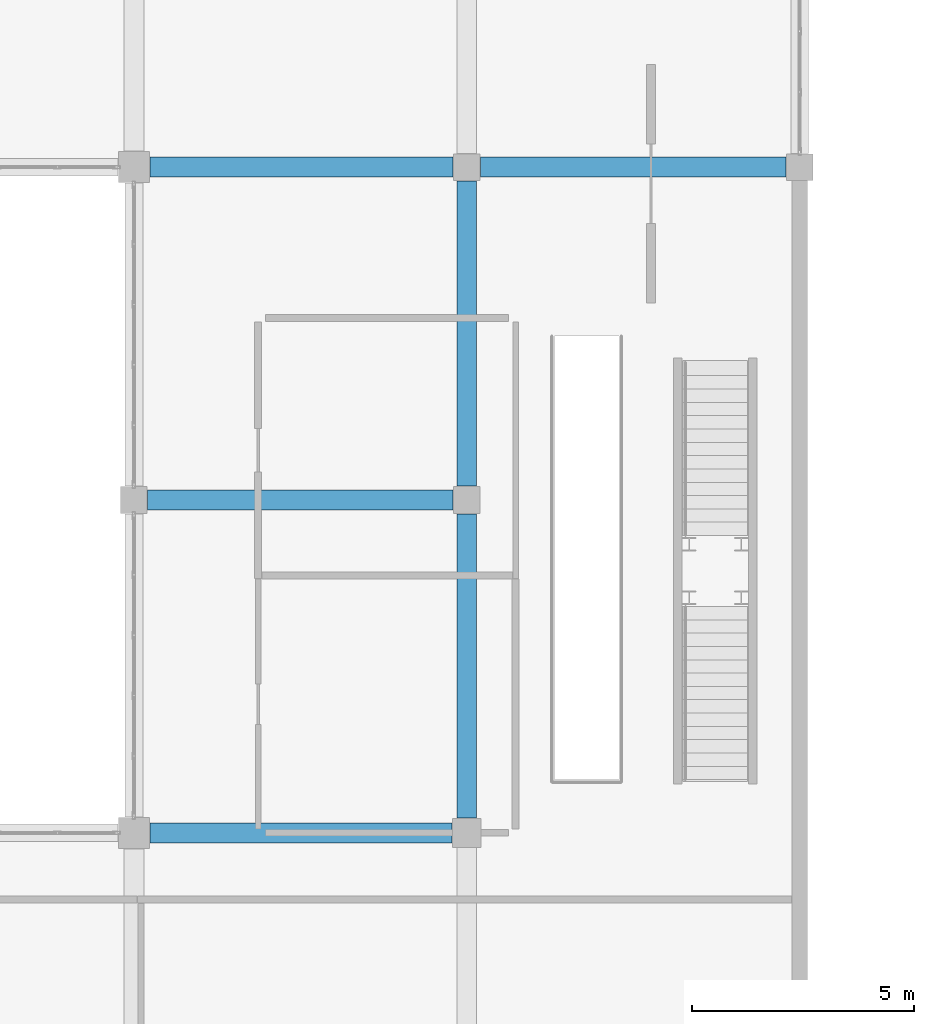
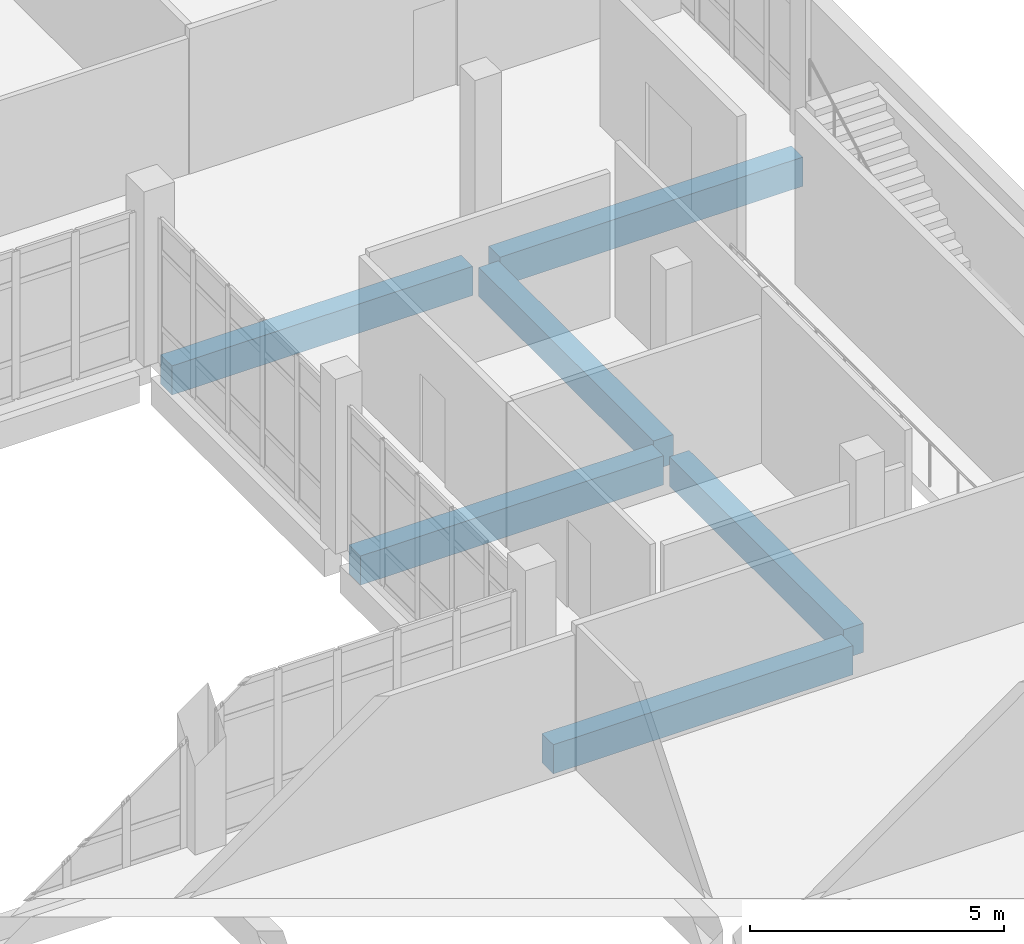
# One storey, part 31 of 164: 6 beams.
"""IFC4 building model written with IfcOpenShell, lengths in metres."""

from ifc_helpers import new_model, si_unit, direction, frame, origin, origin_2d, place, context, subcontext, project, spatial, rectangle, extrude, material, material_profile, profile_set, type_object, element, save


model = new_model("IFC4")

# Units and contexts
model_context = context("Model", 3, precision=1e-05, world=origin(), true_north=direction((0.0, 1.0)))
body_context = subcontext(model_context, "Body", "Model", "MODEL_VIEW")
ifc_project = project(units=[si_unit("LENGTHUNIT", "METRE"), si_unit("AREAUNIT", "SQUARE_METRE"), si_unit("VOLUMEUNIT", "CUBIC_METRE"), si_unit("PLANEANGLEUNIT", "RADIAN"), si_unit("MASSUNIT", "GRAM", prefix="KILO")], contexts=[model_context])

# Site, building, storey
site_placement = place(None, origin())
site = spatial("IfcSite", under=ifc_project, at=site_placement, CompositionType="ELEMENT")
building_placement = place(site_placement, origin())
building = spatial("IfcBuilding", under=site, at=building_placement, Name="Mawjan Specialist Oncology Clinic", CompositionType="ELEMENT")
storey_placement = place(building_placement, frame((0.0, 0.0, 5.0)))
storey = spatial("IfcBuildingStorey", under=building, at=storey_placement, Name="L01", CompositionType="ELEMENT", Elevation=5.0)

# Beams
ifc_material = material(Name="Concrete C40/50", Category="concrete")
ifc_material_profile = material_profile(ifc_material, rectangle(XDim=0.449951171875, YDim=0.699951171875, at=origin_2d()), Name="RC BM 450x700", Category="concrete")
ifc_profile_set = profile_set([ifc_material_profile], Name="Concrete C40/50")
beam_type = type_object("IfcBeamType", Name="BM-450x700", PredefinedType="BEAM", material=ifc_profile_set)
beam_1_placement = place(storey_placement, frame((30.360107421875, 15.800048828125, -0.64990234375), z_axis=(1.0, 0.0, 0.0), x_axis=(0.0, 1.0, 0.0)))
element("IfcBeam", 1, at=beam_1_placement, inside=storey, type_object=beam_type, Name="L01 Collector Beam BM-L01-0241", PredefinedType="BEAM", context=body_context, shape_type="SweptSolid", body=[
    extrude(rectangle(XDim=0.449951171875, YDim=0.699951171875, at=origin_2d()), origin(), (0.0, 0.0, 1.0), 6.804931640625),
])
beam_2_placement = place(storey_placement, frame((30.31005859375, 23.300048828125, -0.64990234375), z_axis=(1.0, 0.0, 0.0), x_axis=(0.0, 1.0, 0.0)))
element("IfcBeam", 2, at=beam_2_placement, inside=storey, type_object=beam_type, Name="L01 Collector Beam BM-L01-0244", PredefinedType="BEAM", context=body_context, shape_type="SweptSolid", body=[
    extrude(rectangle(XDim=0.449951171875, YDim=0.699951171875, at=origin_2d()), origin(), (0.0, 0.0, 1.0), 6.8798828125),
])
beam_3_placement = place(storey_placement, frame((30.360107421875, 30.800048828125, -0.64990234375), z_axis=(1.0, 0.0, 0.0), x_axis=(0.0, 1.0, 0.0)))
element("IfcBeam", 3, at=beam_3_placement, inside=storey, type_object=beam_type, Name="L01 Collector Beam BM-L01-0248", PredefinedType="BEAM", context=body_context, shape_type="SweptSolid", body=[
    extrude(rectangle(XDim=0.449951171875, YDim=0.699951171875, at=origin_2d()), origin(), (0.0, 0.0, 1.0), 6.829833984375),
])
beam_4_placement = place(storey_placement, frame((37.81005859375, 30.800048828125, -0.64990234375), z_axis=(1.0, 0.0, 0.0), x_axis=(0.0, 1.0, 0.0)))
element("IfcBeam", 4, at=beam_4_placement, inside=storey, type_object=beam_type, Name="L01 Collector Beam BM-L01-0249", PredefinedType="BEAM", context=body_context, shape_type="SweptSolid", body=[
    extrude(rectangle(XDim=0.449951171875, YDim=0.699951171875, at=origin_2d()), origin(), (0.0, 0.0, 1.0), 6.8798828125),
])
beam_5_placement = place(storey_placement, frame((37.5, 16.135009765625, -0.64990234375), z_axis=(0.0, 1.0, 0.0), x_axis=(-1.0, 0.0, 0.0)))
element("IfcBeam", 5, at=beam_5_placement, inside=storey, type_object=beam_type, Name="L01 Collector Beam BM-L01-0464", PredefinedType="BEAM", context=body_context, shape_type="SweptSolid", body=[
    extrude(rectangle(XDim=0.449951171875, YDim=0.699951171875, at=origin_2d()), origin(), (0.0, 0.0, 1.0), 6.85498046875),
])
beam_6_placement = place(storey_placement, frame((37.5, 23.610107421875, -0.64990234375), z_axis=(0.0, 1.0, 0.0), x_axis=(-1.0, 0.0, 0.0)))
element("IfcBeam", 6, at=beam_6_placement, inside=storey, type_object=beam_type, Name="L01 Collector Beam BM-L01-0465", PredefinedType="BEAM", context=body_context, shape_type="SweptSolid", body=[
    extrude(rectangle(XDim=0.449951171875, YDim=0.699951171875, at=origin_2d()), origin(), (0.0, 0.0, 1.0), 6.8798828125),
])

save(model, "model.ifc")
